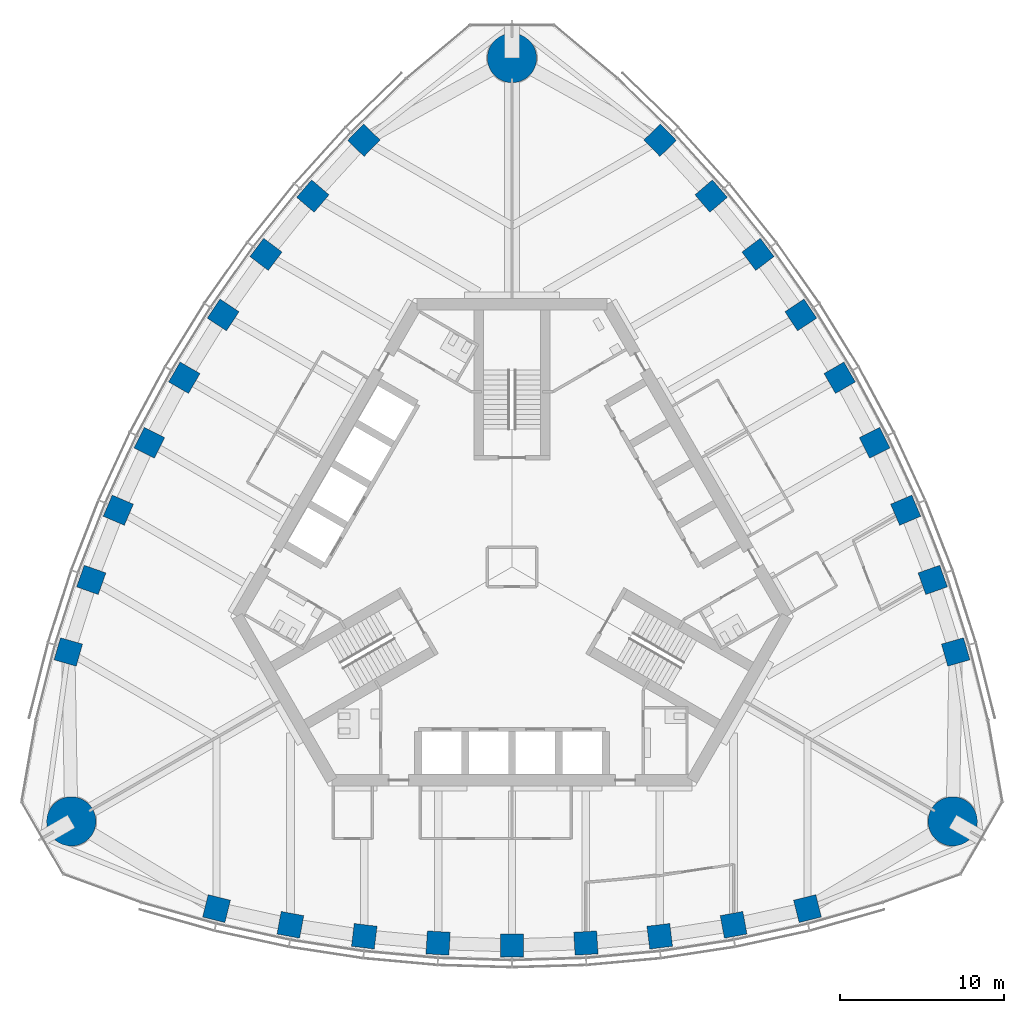
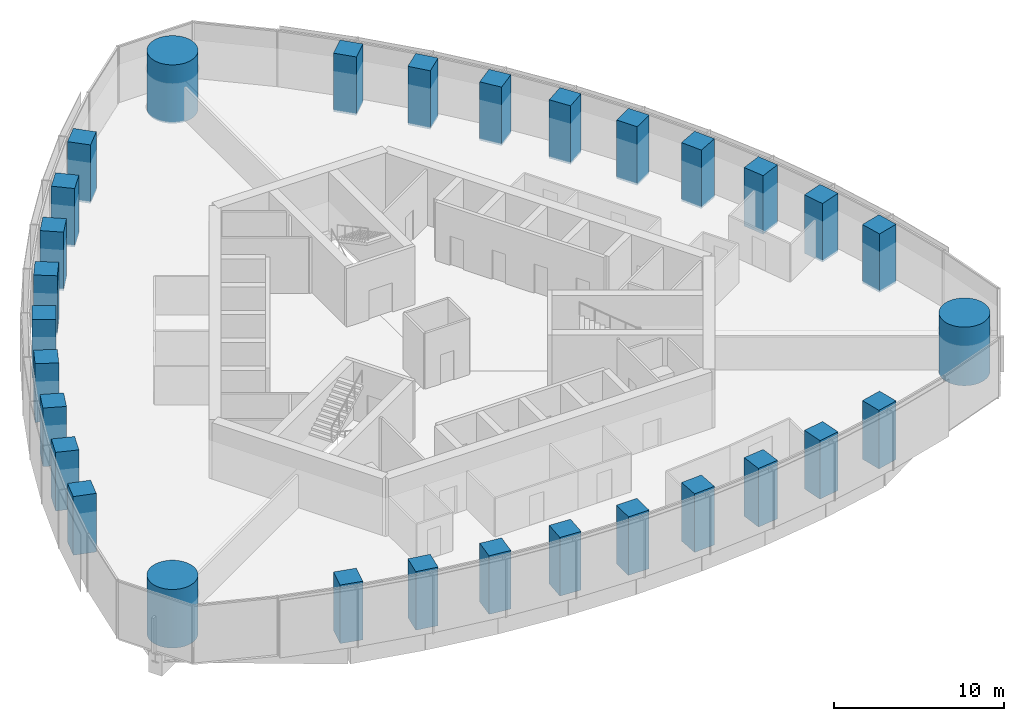
# One storey, part 1 of 14: 30 columns.
"""IFC4 building model written with IfcOpenShell, lengths in metres."""

from ifc_helpers import new_model, si_unit, direction, frame, origin, origin_2d, place, context, subcontext, project, spatial, rectangle, circle, extrude, material, material_profile, profile_set, type_object, element, save


model = new_model("IFC4")

# Units and contexts
model_context = context("Model", 3, precision=1e-05, world=origin(), true_north=direction((0.0, 1.0)))
body_context = subcontext(model_context, "Body", "Model", "MODEL_VIEW")
ifc_project = project(units=[si_unit("LENGTHUNIT", "METRE"), si_unit("AREAUNIT", "SQUARE_METRE"), si_unit("VOLUMEUNIT", "CUBIC_METRE"), si_unit("PLANEANGLEUNIT", "RADIAN"), si_unit("MASSUNIT", "GRAM", prefix="KILO")], contexts=[model_context])

# Site, building, storey
site_placement = place(None, origin())
site = spatial("IfcSite", under=ifc_project, at=site_placement, CompositionType="ELEMENT")
building_placement = place(site_placement, origin())
building = spatial("IfcBuilding", under=site, at=building_placement, Name="Trefoil Bronze Tower", CompositionType="ELEMENT")
storey_placement = place(building_placement, frame((0.0, 0.0, 280.5)))
storey = spatial("IfcBuildingStorey", under=building, at=storey_placement, Name="L64", CompositionType="ELEMENT", Elevation=280.5)

# Columns
ifc_material_1 = material(Name="Concrete B80", Category="concrete")
ifc_material_profile_1 = material_profile(ifc_material_1, circle(Radius=1.5, at=origin_2d()), Name="RC D3000")
ifc_profile_set_1 = profile_set([ifc_material_profile_1], Name="Concrete B80")
column_type_1 = type_object("IfcColumnType", Name="Mega column RC D3000", PredefinedType="COLUMN", material=ifc_profile_set_1)
for number, where, z_axis, x_axis, name in (
    (1, (26.8466796875, -15.5, 0.0), (0.0, 0.0, 1.0), (1.0, 0.0, 0.0), "Mega column K1 L64"),
    (2, (0.0, 31.0, 0.0), (0.0, 0.0, 1.0), (1.0, 0.0, 0.0), "Mega column K2 L64"),
    (3, (-26.8466796875, -15.5, 0.0), (0.0, 0.0, 1.0), (1.0, 0.0, 0.0), "Mega column K3 L64"),
):
    element("IfcColumn", number, at=place(storey_placement, frame(where, z_axis=z_axis, x_axis=x_axis)), inside=storey, type_object=column_type_1, Name=name, PredefinedType="COLUMN", context=body_context, shape_type="SweptSolid", body=[
        extrude(circle(Radius=1.5, at=origin_2d()), origin(), (0.0, 0.0, 1.0), 4.199951171875),
    ])
ifc_material_2 = material(Name="Concrete B80", Category="concrete")
ifc_material_profile_2 = material_profile(ifc_material_2, rectangle(XDim=1.39990234375, YDim=1.39990234375, at=origin_2d()), Name="RC 1400x1400")
ifc_profile_set_2 = profile_set([ifc_material_profile_2], Name="Concrete B80")
column_type_2 = type_object("IfcColumnType", Name="Tube column RC 1400x1400", PredefinedType="COLUMN", material=ifc_profile_set_2)
for number, where, z_axis, x_axis, name in (
    (4, (-18.0, -20.816162109375, 0.0), (0.0, 0.0, 1.0), (0.97017777199, -0.242394494031, 0.0), "Tube column F1/-4 L64"),
    (5, (-13.5, -21.802734375, 0.0), (0.0, 0.0, 1.0), (0.983360067227, -0.181667218242, 0.0), "Tube column F1/-3 L64"),
    (6, (-9.0, -22.499267578125, 0.0), (0.0, 0.0, 1.0), (0.992639174109, -0.121109330868, 0.0), "Tube column F1/-2 L64"),
    (7, (-4.5, -22.913818359375, 0.0), (0.0, 0.0, 1.0), (0.998164920349, -0.060554040199, 0.0), "Tube column F1/-1 L64"),
    (8, (0.0, -23.051513671875, 0.0), (0.0, 0.0, 1.0), (1.0, 0.0, 0.0), "Tube column F1/+0 L64"),
    (9, (4.5, -22.913818359375, 0.0), (0.0, 0.0, 1.0), (0.998164920349, 0.060554040199, 0.0), "Tube column F1/+1 L64"),
    (10, (9.0, -22.499267578125, 0.0), (0.0, 0.0, 1.0), (0.992639174109, 0.121109330868, 0.0), "Tube column F1/+2 L64"),
    (11, (13.5, -21.802734375, 0.0), (0.0, 0.0, 1.0), (0.983360067227, 0.181667218242, 0.0), "Tube column F1/+3 L64"),
    (12, (18.0, -20.816162109375, 0.0), (0.0, 0.0, 1.0), (0.97017777199, 0.242394494031, 0.0), "Tube column F1/+4 L64"),
    (13, (27.02734375, -5.180419921875, 0.0), (0.0, 0.0, 1.0), (-0.275169096426, 0.961395843746, 0.0), "Tube column F2/-4 L64"),
    (14, (25.631591796875, -0.7900390625, 0.0), (0.0, 0.0, 1.0), (-0.334351607581, 0.942448408407, 0.0), "Tube column F2/-3 L64"),
    (15, (23.98486328125, 3.455322265625, 0.0), (0.0, 0.0, 1.0), (-0.391435829888, 0.920205407004, 0.0), "Tube column F2/-2 L64"),
    (16, (22.093994140625, 7.559814453125, 0.0), (0.0, 0.0, 1.0), (-0.44664112306, 0.894713198289, 0.0), "Tube column F2/-1 L64"),
    (17, (19.96337890625, 11.52587890625, 0.0), (0.0, 0.0, 1.0), (-0.5, 0.866025403784, 0.0), "Tube column F2/+0 L64"),
    (18, (17.593994140625, 15.35400390625, 0.0), (0.0, 0.0, 1.0), (-0.551523797289, 0.834159158089, 0.0), "Tube column F2/+1 L64"),
    (19, (14.98486328125, 19.043701171875, 0.0), (0.0, 0.0, 1.0), (-0.601203344222, 0.799096076136, 0.0), "Tube column F2/+2 L64"),
    (20, (12.131591796875, 22.5927734375, 0.0), (0.0, 0.0, 1.0), (-0.649008459646, 0.760781190165, 0.0), "Tube column F2/+3 L64"),
    (21, (9.02734375, 25.99658203125, 0.0), (0.0, 0.0, 1.0), (-0.695008675564, 0.719001349715, 0.0), "Tube column F2/+4 L64"),
    (22, (-9.02734375, 25.99658203125, 0.0), (0.0, 0.0, 1.0), (-0.695008675564, -0.719001349715, 0.0), "Tube column F3/-4 L64"),
    (23, (-12.131591796875, 22.5927734375, 0.0), (0.0, 0.0, 1.0), (-0.649008459646, -0.760781190165, 0.0), "Tube column F3/-3 L64"),
    (24, (-14.98486328125, 19.043701171875, 0.0), (0.0, 0.0, 1.0), (-0.601203344222, -0.799096076136, 0.0), "Tube column F3/-2 L64"),
    (25, (-17.593994140625, 15.35400390625, 0.0), (0.0, 0.0, 1.0), (-0.551523797289, -0.834159158089, 0.0), "Tube column F3/-1 L64"),
    (26, (-19.96337890625, 11.52587890625, 0.0), (0.0, 0.0, 1.0), (-0.5, -0.866025403784, 0.0), "Tube column F3/+0 L64"),
    (27, (-22.093994140625, 7.559814453125, 0.0), (0.0, 0.0, 1.0), (-0.44664112306, -0.894713198289, 0.0), "Tube column F3/+1 L64"),
    (28, (-23.98486328125, 3.455322265625, 0.0), (0.0, 0.0, 1.0), (-0.391435829888, -0.920205407004, 0.0), "Tube column F3/+2 L64"),
    (29, (-25.631591796875, -0.7900390625, 0.0), (0.0, 0.0, 1.0), (-0.334351607581, -0.942448408407, 0.0), "Tube column F3/+3 L64"),
    (30, (-27.02734375, -5.180419921875, 0.0), (0.0, 0.0, 1.0), (-0.275169096426, -0.961395843746, 0.0), "Tube column F3/+4 L64"),
):
    element("IfcColumn", number, at=place(storey_placement, frame(where, z_axis=z_axis, x_axis=x_axis)), inside=storey, type_object=column_type_2, Name=name, PredefinedType="COLUMN", context=body_context, shape_type="SweptSolid", body=[
        extrude(rectangle(XDim=1.39990234375, YDim=1.39990234375, at=origin_2d()), origin(), (0.0, 0.0, 1.0), 4.199951171875),
    ])

save(model, "model.ifc")
